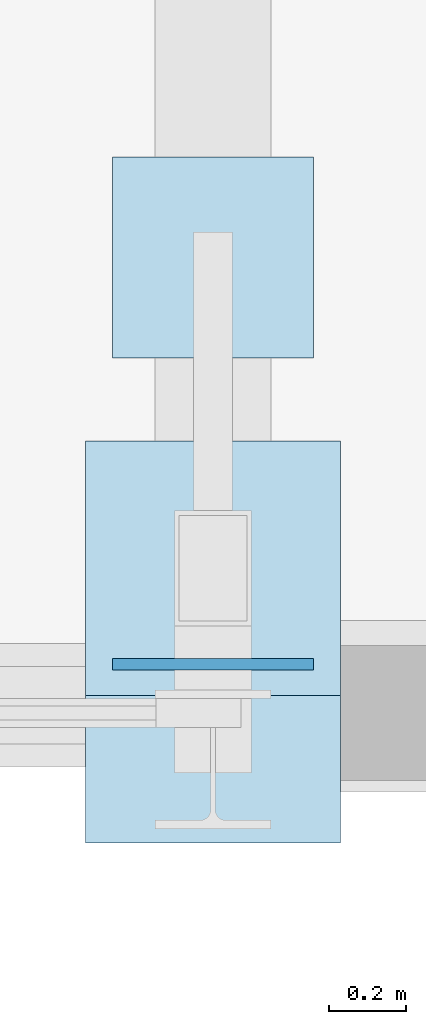
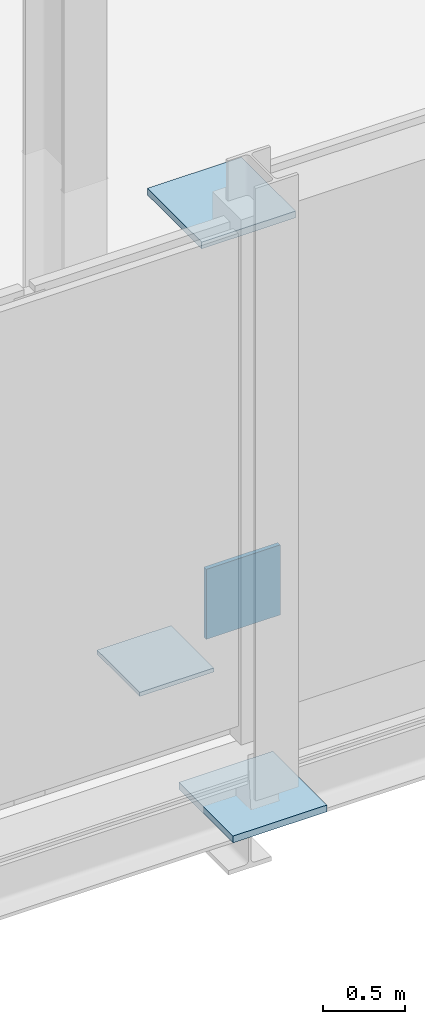
# One storey, part 49 of 90: 4 plates.
"""IFC4 building model written with IfcOpenShell, lengths in metres."""

from ifc_helpers import new_model, si_unit, direction, frame, origin, origin_2d, place, context, subcontext, project, spatial, rectangle, extrude, material, layer, layer_set, type_object, element, save


model = new_model("IFC4")

# Units and contexts
model_context = context("Model", 3, precision=1e-05, world=origin(), true_north=direction((0.0, 1.0)))
body_context = subcontext(model_context, "Body", "Model", "MODEL_VIEW")
ifc_project = project(units=[si_unit("LENGTHUNIT", "METRE"), si_unit("AREAUNIT", "SQUARE_METRE"), si_unit("VOLUMEUNIT", "CUBIC_METRE"), si_unit("PLANEANGLEUNIT", "RADIAN"), si_unit("MASSUNIT", "GRAM", prefix="KILO")], contexts=[model_context])

# Site, building, storey
site_placement = place(None, origin())
site = spatial("IfcSite", under=ifc_project, at=site_placement, CompositionType="ELEMENT")
building_placement = place(site_placement, origin())
building = spatial("IfcBuilding", under=site, at=building_placement, Name="Zereglee Splitstone Museum", CompositionType="ELEMENT")
storey_placement = place(building_placement, frame((0.0, 0.0, 4.800048828125)))
storey = spatial("IfcBuildingStorey", under=building, at=storey_placement, Name="L01", CompositionType="ELEMENT", Elevation=4.800048828125)

# Plates
ifc_material = material(Name="Steel S355J2", Category="steel")
ifc_layer_1 = layer(ifc_material, 0.030029296875)
ifc_layer_set_1 = layer_set([ifc_layer_1], Name="Steel S355J2")
plate_type_1 = type_object("IfcPlateType", Name="NP-04", PredefinedType="SHEET", material=ifc_layer_set_1)
plate_1_placement = place(storey_placement, frame((126.0, 8.5, -0.27490234375), z_axis=(0.0, 0.0, 1.0), x_axis=(1.0, 0.0, 0.0)))
element("IfcPlate", 1, at=plate_1_placement, inside=storey, type_object=plate_type_1, Name="Facet Tie Seal Plate FH-V2SE", PredefinedType="SHEET", context=body_context, shape_type="SweptSolid", body=[
    extrude(rectangle(XDim=0.52001953125, YDim=0.52001953125, at=origin_2d()), origin(), (0.0, 0.0, 1.0), 0.030029296875),
])
plate_2_placement = place(storey_placement, frame((126.0, 7.44580078125, 0.639892578125), z_axis=(0.0, 0.0, 1.0), x_axis=(1.0, 0.0, 0.0)))
element("IfcPlate", 2, at=plate_2_placement, inside=storey, type_object=plate_type_1, Name="Facet Tie Seal Plate FH-V2SE", PredefinedType="SHEET", context=body_context, shape_type="SweptSolid", body=[
    extrude(rectangle(XDim=0.52001953125, YDim=0.030029296875, at=origin_2d()), origin(), (0.0, 0.0, 1.0), 0.52001953125),
])
ifc_layer_2 = layer(ifc_material, 0.050048828125)
ifc_layer_set_2 = layer_set([ifc_layer_2], Name="Steel S355J2")
plate_type_2 = type_object("IfcPlateType", Name="NP-02", PredefinedType="SHEET", material=ifc_layer_set_2)
for number, where, z_axis, x_axis, name in (
    (3, (126.0, 7.3134765625, -0.5751953125), (0.0, 0.0, 1.0), (1.0, 0.0, 0.0), "Facet Strut Seal Plate FH-V2SE"),
    (4, (126.0, 7.695068359375, 3.60498046875), (0.0, 0.0, 1.0), (1.0, 0.0, 0.0), "Facet Strut Seal Plate FH-V2SE"),
):
    element("IfcPlate", number, at=place(storey_placement, frame(where, z_axis=z_axis, x_axis=x_axis)), inside=storey, type_object=plate_type_2, Name=name, PredefinedType="SHEET", context=body_context, shape_type="SweptSolid", body=[
        extrude(rectangle(XDim=0.659912109375, YDim=0.659912109375, at=origin_2d()), origin(), (0.0, 0.0, 1.0), 0.050048828125),
    ])

save(model, "model.ifc")
